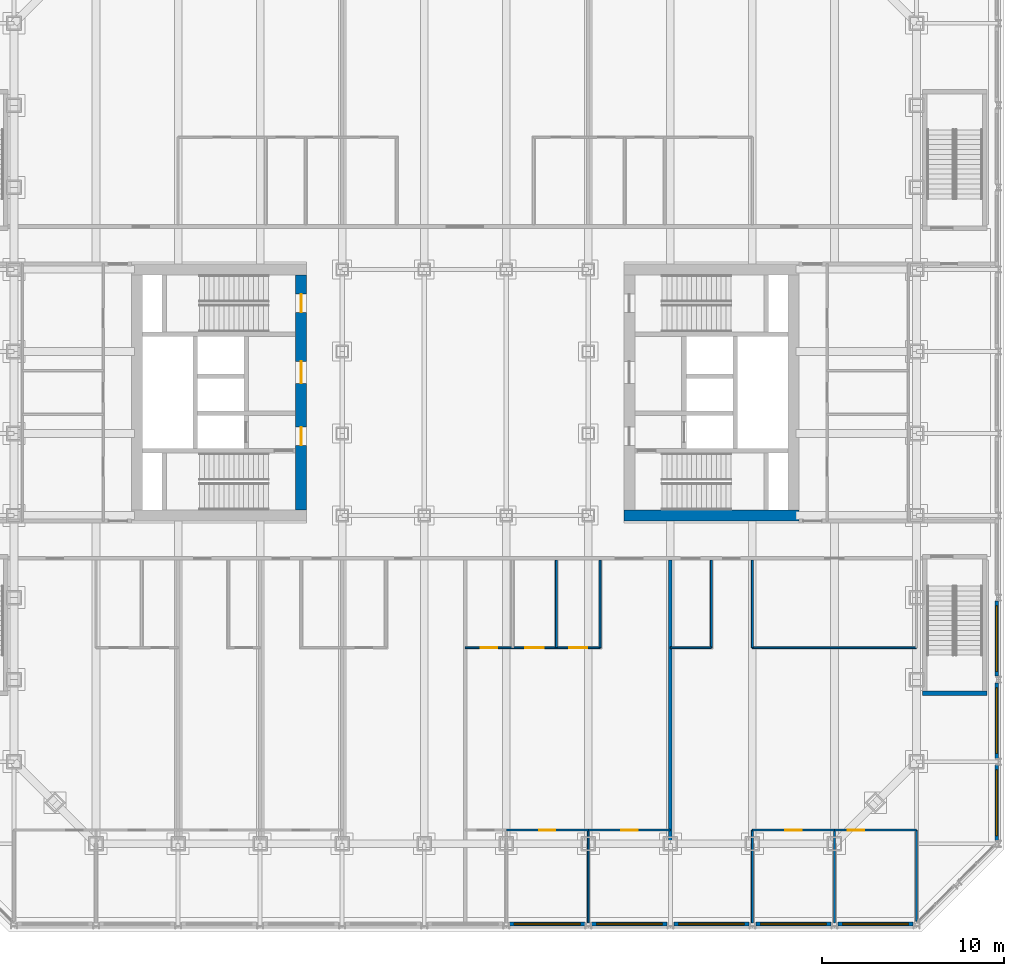
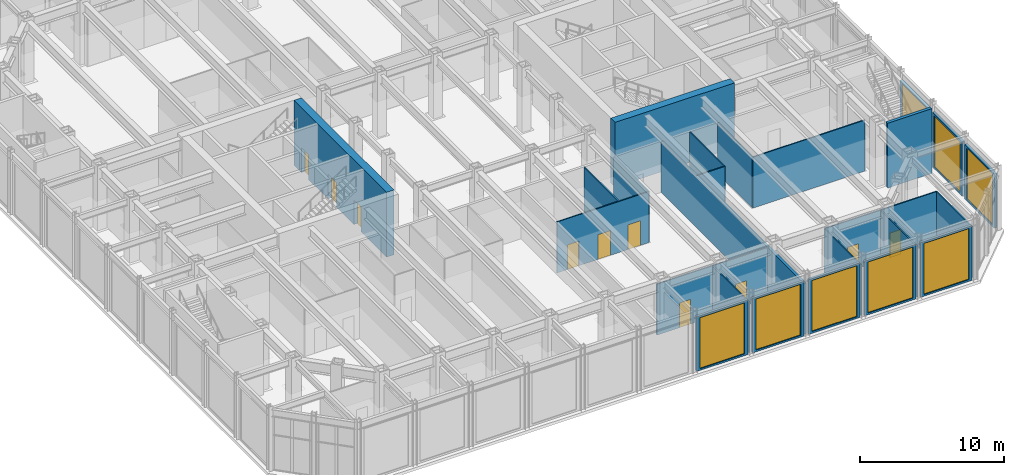
# One storey, part 12 of 19: 27 walls, 10 doors, 8 windows, 18 openings.
"""IFC4 building model written with IfcOpenShell, lengths in metres."""

import ifcopenshell
import ifcopenshell.guid

model = None  # the IFC model being written
_history = None  # IfcOwnerHistory: only IFC2X3 demands one
_inside = {}  # id of a spatial element -> (the spatial element, [elements in it])
_under = {}  # id of a project, library or spatial element -> (it, [spatial elements below it])
_declared = {}  # id of a project -> (the project, [libraries it declares])
_typed = {}  # id of a type object -> (the type object, [elements of that type])
_made_of = {}  # id of a material, layer set ... -> (it, [elements and type objects made of it])


def new_model(schema):
    """Start an empty IFC model of exactly this schema.

    Asked for "IFC4X3", IfcOpenShell would pick the latest addendum, in which some entities
    have other attributes; the version numbers below select the first issue.
    IFC2X3 requires an IfcOwnerHistory on every rooted entity: one is made here for all.
    """
    global model, _history
    if schema == "IFC4X3":
        model = ifcopenshell.file(schema_version=(4, 3, 0, 0))
    else:
        model = ifcopenshell.file(schema=schema)
    _inside.clear()
    _under.clear()
    _declared.clear()
    _typed.clear()
    _made_of.clear()
    _history = None
    if model.schema == "IFC2X3":
        org = make("IfcOrganization", Name="unknown")
        user = make(
            "IfcPersonAndOrganization",
            ThePerson=make("IfcPerson", FamilyName="unknown"),
            TheOrganization=org,
        )
        app = make(
            "IfcApplication",
            ApplicationDeveloper=org,
            Version="unknown",
            ApplicationFullName="unknown",
            ApplicationIdentifier="unknown",
        )
        _history = make(
            "IfcOwnerHistory",
            OwningUser=user,
            OwningApplication=app,
            ChangeAction="ADDED",
            CreationDate=0,
        )
    return model


def make(cls, **values):
    """One entity of the class cls with the attributes given. An attribute that is None is left unset."""
    return model.create_entity(
        cls, **{name: value for name, value in values.items() if value is not None}
    )


def rooted(cls, **values):
    """An entity with a GlobalId (a new one), such as an element, a storey or a relation."""
    return make(cls, GlobalId=ifcopenshell.guid.new(), OwnerHistory=_history, **values)


def si_unit(unit_type, name, prefix=None):
    """IfcSIUnit, for example si_unit("LENGTHUNIT", "METRE", prefix="MILLI")."""
    return make("IfcSIUnit", UnitType=unit_type, Prefix=prefix, Name=name)


def assignment(units):
    """IfcUnitAssignment: the units of a project."""
    return None if units is None else make("IfcUnitAssignment", Units=units)


def point(xyz):
    """IfcCartesianPoint."""
    return None if xyz is None else make("IfcCartesianPoint", Coordinates=xyz)


def direction(xyz):
    """IfcDirection."""
    return None if xyz is None else make("IfcDirection", DirectionRatios=xyz)


def frame(location, z_axis=None, x_axis=None):
    """IfcAxis2Placement3D, a coordinate frame: its origin and axes. An axis left out is left unset."""
    return make(
        "IfcAxis2Placement3D",
        Location=point(location),
        Axis=direction(z_axis),
        RefDirection=direction(x_axis),
    )


def frame_2d(location, x_axis=None):
    """IfcAxis2Placement2D, a coordinate frame in the plane: its origin and x axis."""
    return make(
        "IfcAxis2Placement2D", Location=point(location), RefDirection=direction(x_axis)
    )


def origin():
    """The frame at (0, 0, 0) with its axes left unset."""
    return frame((0.0, 0.0, 0.0))


def place(relative_to, where):
    """IfcLocalPlacement: puts the frame where relative to a parent placement (None: the world)."""
    return make(
        "IfcLocalPlacement", PlacementRelTo=relative_to, RelativePlacement=where
    )


def context(
    kind, dimensions, precision=None, world=None, true_north=None, identifier=None
):
    """IfcGeometricRepresentationContext, for example the 3D "Model" context."""
    return make(
        "IfcGeometricRepresentationContext",
        ContextIdentifier=identifier,
        ContextType=kind,
        CoordinateSpaceDimension=dimensions,
        Precision=precision,
        WorldCoordinateSystem=world,
        TrueNorth=true_north,
    )


def subcontext(parent, identifier, kind, view, scale=None):
    """IfcGeometricRepresentationSubContext, for example "Body" below "Model"."""
    return make(
        "IfcGeometricRepresentationSubContext",
        ContextIdentifier=identifier,
        ContextType=kind,
        ParentContext=parent,
        TargetScale=scale,
        TargetView=view,
    )


def project(units=None, contexts=None):
    """IfcProject with its units and contexts."""
    return rooted(
        "IfcProject",
        Name="project",
        RepresentationContexts=contexts,
        UnitsInContext=assignment(units),
    )


def spatial(cls, under=None, at=None, **own):
    """A site, building, storey or space (cls), placed at a placement, below another one or the project."""
    s = rooted(cls, ObjectPlacement=at, **own)
    if under is not None:
        _under.setdefault(under.id(), (under, []))[1].append(s)
    return s


def profile(cls, at=None, kind="AREA", **sizes):
    """A parametric profile (cls). Its sizes go by their IFC names, for example OverallWidth=200.0."""
    return make(cls, ProfileType=kind, Position=at, **sizes)


def rectangle(**sizes):
    """IfcRectangleProfileDef."""
    return profile("IfcRectangleProfileDef", **sizes)


def extrude(swept, where, along, depth):
    """IfcExtrudedAreaSolid: the profile swept, set in the frame where, extruded along a direction by depth."""
    return make(
        "IfcExtrudedAreaSolid",
        SweptArea=swept,
        Position=where,
        ExtrudedDirection=direction(along),
        Depth=depth,
    )


def shape(context_of_items, identifier, shape_type, items):
    """IfcShapeRepresentation: the items that make up one representation, for example the "Body"."""
    return make(
        "IfcShapeRepresentation",
        ContextOfItems=context_of_items,
        RepresentationIdentifier=identifier,
        RepresentationType=shape_type,
        Items=items,
    )


def material(Name=None, Category=None):
    """IfcMaterial."""
    return make("IfcMaterial", Name=Name, Category=Category)


def layer(
    of_material, thickness, ventilated=None, Name=None, Category=None, Priority=None
):
    """IfcMaterialLayer: one layer of a wall or slab, of a material (None: an air gap)."""
    return make(
        "IfcMaterialLayer",
        Material=of_material,
        LayerThickness=thickness,
        IsVentilated=ventilated,
        Name=Name,
        Category=Category,
        Priority=Priority,
    )


def layer_set(layers, Name=None):
    """IfcMaterialLayerSet."""
    return make("IfcMaterialLayerSet", MaterialLayers=layers, LayerSetName=Name)


def made_of(thing, what):
    """Note that an element or type object is made of a material, layer set ...; save() writes the relation."""
    if what is not None:
        _made_of.setdefault(what.id(), (what, []))[1].append(thing)
    return thing


def type_object(cls, material=None, **own):
    """A type object (cls), such as IfcWallType, which elements share."""
    return made_of(rooted(cls, **own), material)


def element(
    cls,
    number,
    at=None,
    inside=None,
    cuts=None,
    type_object=None,
    material=None,
    context=None,
    identifier="Body",
    shape_type=None,
    held_by="IfcProductDefinitionShape",
    body=None,
    shapes=None,
    **own,
):
    """One element of the class cls, such as IfcWall. Its Tag is "e" and its number.

    at: its placement. inside: the storey or other place that contains it. cuts: it is an
    opening in that element (IfcRelVoidsElement). A single representation is given by context,
    identifier, shape_type and body (its items); several are given by shapes. held_by: the class
    of the entity that holds the representations. save() writes the other relations.
    """
    e = rooted(cls, Tag="e%d" % number, ObjectPlacement=at, **own)
    if body is not None:
        shapes = [shape(context, identifier, shape_type, body)]
    if shapes is not None:
        e.Representation = make(held_by, Representations=shapes)
    if inside is not None:
        _inside.setdefault(inside.id(), (inside, []))[1].append(e)
    if cuts is not None:
        rooted(
            "IfcRelVoidsElement", RelatingBuildingElement=cuts, RelatedOpeningElement=e
        )
    if type_object is not None:
        _typed.setdefault(type_object.id(), (type_object, []))[1].append(e)
    return made_of(e, material)


def fill(opening, filler):
    """IfcRelFillsElement: the door or window that sits in an opening."""
    return rooted(
        "IfcRelFillsElement",
        RelatingOpeningElement=opening,
        RelatedBuildingElement=filler,
    )


def aggregate(whole, parts):
    """IfcRelAggregates: a whole, such as a stair, and the parts it consists of."""
    return rooted("IfcRelAggregates", RelatingObject=whole, RelatedObjects=parts)


def save(model, path):
    """Write the relations noted so far, then the file.

    IfcRelAggregates (storeys below a building ...), IfcRelContainedInSpatialStructure (elements
    in a storey), IfcRelDefinesByType, IfcRelAssociatesMaterial and IfcRelDeclares: one each for
    every whole, place, type object, material and project.
    """
    for whole, parts in _under.values():
        aggregate(whole, parts)
    for where, things in _inside.values():
        rooted(
            "IfcRelContainedInSpatialStructure",
            RelatedElements=things,
            RelatingStructure=where,
        )
    for kind, things in _typed.values():
        rooted("IfcRelDefinesByType", RelatedObjects=things, RelatingType=kind)
    for what, things in _made_of.values():
        rooted("IfcRelAssociatesMaterial", RelatedObjects=things, RelatingMaterial=what)
    for by, libraries in _declared.values():
        rooted("IfcRelDeclares", RelatingContext=by, RelatedDefinitions=libraries)
    model.write(path)


model = new_model("IFC4")

# Units and contexts
model_context = context("Model", 3, precision=1e-05, world=origin(), true_north=direction((0.0, 1.0)))
body_context = subcontext(model_context, "Body", "Model", "MODEL_VIEW")
ifc_project = project(units=[si_unit("LENGTHUNIT", "METRE"), si_unit("AREAUNIT", "SQUARE_METRE"), si_unit("VOLUMEUNIT", "CUBIC_METRE"), si_unit("PLANEANGLEUNIT", "RADIAN"), si_unit("MASSUNIT", "GRAM", prefix="KILO")], contexts=[model_context])

# Site, building, storey
site_placement = place(None, origin())
site = spatial("IfcSite", under=ifc_project, at=site_placement, CompositionType="ELEMENT")
building_placement = place(site_placement, origin())
building = spatial("IfcBuilding", under=site, at=building_placement, Name="Msasa Ring Tower", CompositionType="ELEMENT")
storey_placement = place(building_placement, frame((0.0, 0.0, 16.0)))
storey = spatial("IfcBuildingStorey", under=building, at=storey_placement, Name="L03", CompositionType="ELEMENT", Elevation=16.0)

# Wall
ifc_material_1 = material(Name="Concrete C60/75", Category="concrete")
ifc_layer_1 = layer(ifc_material_1, 0.60009765625)
ifc_layer_set_1 = layer_set([ifc_layer_1], Name="CW1 CORE WALL 600")
wall_type_1 = type_object("IfcWallType", Name="CW1 CORE WALL 600", PredefinedType="SHEAR", material=ifc_layer_set_1)
wall_1_placement = place(storey_placement, frame((8.699951171875, -6.75, 0.0), z_axis=(0.0, 0.0, 1.0), x_axis=(1.0, 0.0, 0.0)))
element("IfcWall", 1, at=wall_1_placement, inside=storey, type_object=wall_type_1, Name="E core wall S L03", PredefinedType="SHEAR", context=body_context, shape_type="SweptSolid", body=[
    extrude(rectangle(XDim=9.60009765625, YDim=0.60009765625, at=frame_2d((4.800048828125, 0.0))), origin(), (0.0, 0.0, 1.0), 5.5),
])

# Wall, openings, doors
wall_2_placement = place(storey_placement, frame((-9.0, -6.449951171875, 0.0), z_axis=(0.0, 0.0, 1.0), x_axis=(0.0, 1.0, 0.0)))
wall_2 = element("IfcWall", 2, at=wall_2_placement, inside=storey, type_object=wall_type_1, Name="W core wall W L03", PredefinedType="SHEAR", context=body_context, shape_type="SweptSolid", body=[
    extrude(rectangle(XDim=12.89990234375, YDim=0.60009765625, at=frame_2d((6.449951171875, 0.0))), origin(), (0.0, 0.0, 1.0), 5.5),
])
opening_1_placement = place(wall_2_placement, frame((3.550048828125, 0.0, 0.0)))
opening_1 = element("IfcOpeningElement", 3, at=opening_1_placement, cuts=wall_2, Name="Opening L03-030", PredefinedType="OPENING", context=body_context, shape_type="SweptSolid", body=[
    extrude(rectangle(XDim=1.0, YDim=2.10009765625, at=frame_2d((0.5, 1.050048828125))), frame((0.0, 0.31005859375, 0.0), z_axis=(0.0, -1.0, 0.0), x_axis=(1.0, 0.0, 0.0)), (0.0, 0.0, 1.0), 0.6201171875),
])
opening_2_placement = place(wall_2_placement, frame((6.949951171875, 0.0, 0.0)))
opening_2 = element("IfcOpeningElement", 4, at=opening_2_placement, cuts=wall_2, Name="Opening L03-026", PredefinedType="OPENING", context=body_context, shape_type="SweptSolid", body=[
    extrude(rectangle(XDim=1.199951171875, YDim=2.10009765625, at=frame_2d((0.60009765625, 1.050048828125))), frame((0.0, 0.31005859375, 0.0), z_axis=(0.0, -1.0, 0.0), x_axis=(1.0, 0.0, 0.0)), (0.0, 0.0, 1.0), 0.6201171875),
])
opening_3_placement = place(wall_2_placement, frame((10.85009765625, 0.0, 0.0)))
opening_3 = element("IfcOpeningElement", 5, at=opening_3_placement, cuts=wall_2, Name="Opening L03-022", PredefinedType="OPENING", context=body_context, shape_type="SweptSolid", body=[
    extrude(rectangle(XDim=1.0, YDim=2.10009765625, at=frame_2d((0.5, 1.050048828125))), frame((0.0, 0.31005859375, 0.0), z_axis=(0.0, -1.0, 0.0), x_axis=(1.0, 0.0, 0.0)), (0.0, 0.0, 1.0), 0.6201171875),
])
ifc_material_2 = material(Name="Timber door leaf in a steel frame", Category="steel")
door_type_1 = type_object("IfcDoorType", Name="D26 WIDE SERVICE ROOM DOOR 1200x2100", OperationType="SINGLE_SWING_LEFT", PredefinedType="DOOR", material=ifc_material_2)
door_1_placement = place(opening_2_placement, origin())
door_1 = element("IfcDoor", 6, at=door_1_placement, inside=storey, type_object=door_type_1, Name="Door L03-WCR", OperationType="SINGLE_SWING_RIGHT", OverallHeight=2.10009765625, OverallWidth=1.199951171875, PredefinedType="DOOR", context=body_context, shape_type="SweptSolid", body=[
    extrude(rectangle(XDim=1.199951171875, YDim=2.10009765625, at=frame_2d((0.60009765625, 1.050048828125))), frame((0.0, 0.02490234375, 0.0), z_axis=(0.0, -1.0, 0.0), x_axis=(1.0, 0.0, 0.0)), (0.0, 0.0, 1.0), 0.050048828125),
])
fill(opening_2, door_1)
ifc_material_3 = material(Name="Timber door leaf in a steel frame", Category="steel")
door_type_2 = type_object("IfcDoorType", Name="D4 LOBBY DOOR 1000x2100", OperationType="SINGLE_SWING_LEFT", PredefinedType="DOOR", material=ifc_material_3)
door_2_placement = place(opening_1_placement, origin())
door_2 = element("IfcDoor", 7, at=door_2_placement, inside=storey, type_object=door_type_2, Name="Door L03-WFFL", OperationType="SINGLE_SWING_LEFT", OverallHeight=2.10009765625, OverallWidth=1.0, PredefinedType="DOOR", context=body_context, shape_type="SweptSolid", body=[
    extrude(rectangle(XDim=1.0, YDim=2.10009765625, at=frame_2d((0.5, 1.050048828125))), frame((0.0, 0.02490234375, 0.0), z_axis=(0.0, -1.0, 0.0), x_axis=(1.0, 0.0, 0.0)), (0.0, 0.0, 1.0), 0.050048828125),
])
fill(opening_1, door_2)
ifc_material_4 = material(Name="Timber door leaf in a steel frame", Category="steel")
door_type_3 = type_object("IfcDoorType", Name="D6 STAIR DOOR 1000x2100", OperationType="SINGLE_SWING_LEFT", PredefinedType="DOOR", material=ifc_material_4)
door_3_placement = place(opening_3_placement, origin())
door_3 = element("IfcDoor", 8, at=door_3_placement, inside=storey, type_object=door_type_3, Name="Door L03-WSTB", OperationType="SINGLE_SWING_RIGHT", OverallHeight=2.10009765625, OverallWidth=1.0, PredefinedType="DOOR", context=body_context, shape_type="SweptSolid", body=[
    extrude(rectangle(XDim=1.0, YDim=2.10009765625, at=frame_2d((0.5, 1.050048828125))), frame((0.0, 0.02490234375, 0.0), z_axis=(0.0, -1.0, 0.0), x_axis=(1.0, 0.0, 0.0)), (0.0, 0.0, 1.0), 0.050048828125),
])
fill(opening_3, door_3)

# Wall, opening, window
ifc_material_5 = material(Name="Terracotta rainscreen on blockwork", Category="masonry")
ifc_layer_2 = layer(ifc_material_5, 0.199951171875)
ifc_layer_set_2 = layer_set([ifc_layer_2], Name="FW2 TERRACOTTA PODIUM BAY WALL 200")
wall_type_2 = type_object("IfcWallType", Name="FW2 TERRACOTTA PODIUM BAY WALL 200", PredefinedType="SOLIDWALL", material=ifc_layer_set_2)
wall_3_placement = place(storey_placement, frame((2.437744140625, -29.14990234375, 0.0), z_axis=(0.0, 0.0, 1.0), x_axis=(1.0, 0.0, 0.0)))
wall_3 = element("IfcWall", 9, at=wall_3_placement, inside=storey, type_object=wall_type_2, Name="Podium bay wall S L03 06", PredefinedType="SOLIDWALL", context=body_context, shape_type="SweptSolid", body=[
    extrude(rectangle(XDim=4.124755859375, YDim=0.199951171875, at=frame_2d((2.0625, 0.0))), origin(), (0.0, 0.0, 1.0), 4.6328125),
])
opening_4_placement = place(wall_3_placement, frame((0.26220703125, 0.0, 0.14990234375)))
opening_4 = element("IfcOpeningElement", 10, at=opening_4_placement, cuts=wall_3, Name="Opening SF4", PredefinedType="OPENING", context=body_context, shape_type="SweptSolid", body=[
    extrude(rectangle(XDim=3.60009765625, YDim=4.3330078125, at=frame_2d((1.800048828125, 2.16650390625))), frame((0.0, 0.10986328125, 0.0), z_axis=(0.0, -1.0, 0.0), x_axis=(1.0, 0.0, 0.0)), (0.0, 0.0, 1.0), 0.219970703125),
])
ifc_material_6 = material(Name="Aluminium frame with clear glass", Category="aluminium")
window_type = type_object("IfcWindowType", Name="SF4 SHOPFRONT GLAZING 3600x4333", PartitioningType="SINGLE_PANEL", PredefinedType="WINDOW", material=ifc_material_6)
window_1_placement = place(opening_4_placement, origin())
window_1 = element("IfcWindow", 11, at=window_1_placement, inside=storey, type_object=window_type, Name="Shopfront glazing S L03 06", OverallHeight=4.3330078125, OverallWidth=3.60009765625, PartitioningType="SINGLE_PANEL", PredefinedType="WINDOW", context=body_context, shape_type="SweptSolid", body=[
    extrude(rectangle(XDim=3.60009765625, YDim=4.3330078125, at=frame_2d((1.800048828125, 2.16650390625))), frame((0.0, 0.030029296875, 0.0), z_axis=(0.0, -1.0, 0.0), x_axis=(1.0, 0.0, 0.0)), (0.0, 0.0, 1.0), 0.06005859375),
])
fill(opening_4, window_1)

wall_4_placement = place(storey_placement, frame((6.9375, -29.14990234375, 0.0), z_axis=(0.0, 0.0, 1.0), x_axis=(1.0, 0.0, 0.0)))
wall_4 = element("IfcWall", 12, at=wall_4_placement, inside=storey, type_object=wall_type_2, Name="Podium bay wall S L03 07", PredefinedType="SOLIDWALL", context=body_context, shape_type="SweptSolid", body=[
    extrude(rectangle(XDim=4.125, YDim=0.199951171875, at=frame_2d((2.0625, 0.0))), origin(), (0.0, 0.0, 1.0), 4.6328125),
])
opening_5_placement = place(wall_4_placement, frame((0.262451171875, 0.0, 0.14990234375)))
opening_5 = element("IfcOpeningElement", 13, at=opening_5_placement, cuts=wall_4, Name="Opening SF4", PredefinedType="OPENING", context=body_context, shape_type="SweptSolid", body=[
    extrude(rectangle(XDim=3.60009765625, YDim=4.3330078125, at=frame_2d((1.800048828125, 2.16650390625))), frame((0.0, 0.10986328125, 0.0), z_axis=(0.0, -1.0, 0.0), x_axis=(1.0, 0.0, 0.0)), (0.0, 0.0, 1.0), 0.219970703125),
])
window_2_placement = place(opening_5_placement, origin())
window_2 = element("IfcWindow", 14, at=window_2_placement, inside=storey, type_object=window_type, Name="Shopfront glazing S L03 07", OverallHeight=4.3330078125, OverallWidth=3.60009765625, PartitioningType="SINGLE_PANEL", PredefinedType="WINDOW", context=body_context, shape_type="SweptSolid", body=[
    extrude(rectangle(XDim=3.60009765625, YDim=4.3330078125, at=frame_2d((1.800048828125, 2.16650390625))), frame((0.0, 0.030029296875, 0.0), z_axis=(0.0, -1.0, 0.0), x_axis=(1.0, 0.0, 0.0)), (0.0, 0.0, 1.0), 0.06005859375),
])
fill(opening_5, window_2)

wall_5_placement = place(storey_placement, frame((11.4375, -29.14990234375, 0.0), z_axis=(0.0, 0.0, 1.0), x_axis=(1.0, 0.0, 0.0)))
wall_5 = element("IfcWall", 15, at=wall_5_placement, inside=storey, type_object=wall_type_2, Name="Podium bay wall S L03 08", PredefinedType="SOLIDWALL", context=body_context, shape_type="SweptSolid", body=[
    extrude(rectangle(XDim=4.125, YDim=0.199951171875, at=frame_2d((2.0625, 0.0))), origin(), (0.0, 0.0, 1.0), 4.6328125),
])
opening_6_placement = place(wall_5_placement, frame((0.262451171875, 0.0, 0.14990234375)))
opening_6 = element("IfcOpeningElement", 16, at=opening_6_placement, cuts=wall_5, Name="Opening SF4", PredefinedType="OPENING", context=body_context, shape_type="SweptSolid", body=[
    extrude(rectangle(XDim=3.60009765625, YDim=4.3330078125, at=frame_2d((1.800048828125, 2.16650390625))), frame((0.0, 0.10986328125, 0.0), z_axis=(0.0, -1.0, 0.0), x_axis=(1.0, 0.0, 0.0)), (0.0, 0.0, 1.0), 0.219970703125),
])
window_3_placement = place(opening_6_placement, origin())
window_3 = element("IfcWindow", 17, at=window_3_placement, inside=storey, type_object=window_type, Name="Shopfront glazing S L03 08", OverallHeight=4.3330078125, OverallWidth=3.60009765625, PartitioningType="SINGLE_PANEL", PredefinedType="WINDOW", context=body_context, shape_type="SweptSolid", body=[
    extrude(rectangle(XDim=3.60009765625, YDim=4.3330078125, at=frame_2d((1.800048828125, 2.16650390625))), frame((0.0, 0.030029296875, 0.0), z_axis=(0.0, -1.0, 0.0), x_axis=(1.0, 0.0, 0.0)), (0.0, 0.0, 1.0), 0.06005859375),
])
fill(opening_6, window_3)

wall_6_placement = place(storey_placement, frame((15.9375, -29.14990234375, 0.0), z_axis=(0.0, 0.0, 1.0), x_axis=(1.0, 0.0, 0.0)))
wall_6 = element("IfcWall", 18, at=wall_6_placement, inside=storey, type_object=wall_type_2, Name="Podium bay wall S L03 09", PredefinedType="SOLIDWALL", context=body_context, shape_type="SweptSolid", body=[
    extrude(rectangle(XDim=4.124755859375, YDim=0.199951171875, at=frame_2d((2.0625, 0.0))), origin(), (0.0, 0.0, 1.0), 4.6328125),
])
opening_7_placement = place(wall_6_placement, frame((0.262451171875, 0.0, 0.14990234375)))
opening_7 = element("IfcOpeningElement", 19, at=opening_7_placement, cuts=wall_6, Name="Opening SF4", PredefinedType="OPENING", context=body_context, shape_type="SweptSolid", body=[
    extrude(rectangle(XDim=3.60009765625, YDim=4.3330078125, at=frame_2d((1.800048828125, 2.16650390625))), frame((0.0, 0.10986328125, 0.0), z_axis=(0.0, -1.0, 0.0), x_axis=(1.0, 0.0, 0.0)), (0.0, 0.0, 1.0), 0.219970703125),
])
window_4_placement = place(opening_7_placement, origin())
window_4 = element("IfcWindow", 20, at=window_4_placement, inside=storey, type_object=window_type, Name="Shopfront glazing S L03 09", OverallHeight=4.3330078125, OverallWidth=3.60009765625, PartitioningType="SINGLE_PANEL", PredefinedType="WINDOW", context=body_context, shape_type="SweptSolid", body=[
    extrude(rectangle(XDim=3.60009765625, YDim=4.3330078125, at=frame_2d((1.800048828125, 2.16650390625))), frame((0.0, 0.030029296875, 0.0), z_axis=(0.0, -1.0, 0.0), x_axis=(1.0, 0.0, 0.0)), (0.0, 0.0, 1.0), 0.06005859375),
])
fill(opening_7, window_4)

wall_7_placement = place(storey_placement, frame((20.437744140625, -29.14990234375, 0.0), z_axis=(0.0, 0.0, 1.0), x_axis=(1.0, 0.0, 0.0)))
wall_7 = element("IfcWall", 21, at=wall_7_placement, inside=storey, type_object=wall_type_2, Name="Podium bay wall S L03 10", PredefinedType="SOLIDWALL", context=body_context, shape_type="SweptSolid", body=[
    extrude(rectangle(XDim=4.12451171875, YDim=0.199951171875, at=frame_2d((2.062255859375, 0.0))), origin(), (0.0, 0.0, 1.0), 4.6328125),
])
opening_8_placement = place(wall_7_placement, frame((0.26220703125, 0.0, 0.14990234375)))
opening_8 = element("IfcOpeningElement", 22, at=opening_8_placement, cuts=wall_7, Name="Opening SF4", PredefinedType="OPENING", context=body_context, shape_type="SweptSolid", body=[
    extrude(rectangle(XDim=3.60009765625, YDim=4.3330078125, at=frame_2d((1.800048828125, 2.16650390625))), frame((0.0, 0.10986328125, 0.0), z_axis=(0.0, -1.0, 0.0), x_axis=(1.0, 0.0, 0.0)), (0.0, 0.0, 1.0), 0.219970703125),
])
window_5_placement = place(opening_8_placement, origin())
window_5 = element("IfcWindow", 23, at=window_5_placement, inside=storey, type_object=window_type, Name="Shopfront glazing S L03 10", OverallHeight=4.3330078125, OverallWidth=3.60009765625, PartitioningType="SINGLE_PANEL", PredefinedType="WINDOW", context=body_context, shape_type="SweptSolid", body=[
    extrude(rectangle(XDim=3.60009765625, YDim=4.3330078125, at=frame_2d((1.800048828125, 2.16650390625))), frame((0.0, 0.030029296875, 0.0), z_axis=(0.0, -1.0, 0.0), x_axis=(1.0, 0.0, 0.0)), (0.0, 0.0, 1.0), 0.06005859375),
])
fill(opening_8, window_5)

wall_8_placement = place(storey_placement, frame((29.14990234375, -24.562255859375, 0.0), z_axis=(0.0, 0.0, 1.0), x_axis=(0.0, 1.0, 0.0)))
wall_8 = element("IfcWall", 24, at=wall_8_placement, inside=storey, type_object=wall_type_2, Name="Podium bay wall E L03 13", PredefinedType="SOLIDWALL", context=body_context, shape_type="SweptSolid", body=[
    extrude(rectangle(XDim=4.12451171875, YDim=0.199951171875, at=frame_2d((2.062255859375, 0.0))), origin(), (0.0, 0.0, 1.0), 4.6328125),
])
opening_9_placement = place(wall_8_placement, frame((0.26220703125, 0.0, 0.14990234375)))
opening_9 = element("IfcOpeningElement", 25, at=opening_9_placement, cuts=wall_8, Name="Opening SF4", PredefinedType="OPENING", context=body_context, shape_type="SweptSolid", body=[
    extrude(rectangle(XDim=3.60009765625, YDim=4.3330078125, at=frame_2d((1.800048828125, 2.16650390625))), frame((0.0, 0.10986328125, 0.0), z_axis=(0.0, -1.0, 0.0), x_axis=(1.0, 0.0, 0.0)), (0.0, 0.0, 1.0), 0.219970703125),
])
window_6_placement = place(opening_9_placement, origin())
window_6 = element("IfcWindow", 26, at=window_6_placement, inside=storey, type_object=window_type, Name="Shopfront glazing E L03 13", OverallHeight=4.3330078125, OverallWidth=3.60009765625, PartitioningType="SINGLE_PANEL", PredefinedType="WINDOW", context=body_context, shape_type="SweptSolid", body=[
    extrude(rectangle(XDim=3.60009765625, YDim=4.3330078125, at=frame_2d((1.800048828125, 2.16650390625))), frame((0.0, 0.030029296875, 0.0), z_axis=(0.0, -1.0, 0.0), x_axis=(1.0, 0.0, 0.0)), (0.0, 0.0, 1.0), 0.06005859375),
])
fill(opening_9, window_6)

wall_9_placement = place(storey_placement, frame((29.14990234375, -20.062255859375, 0.0), z_axis=(0.0, 0.0, 1.0), x_axis=(0.0, 1.0, 0.0)))
wall_9 = element("IfcWall", 27, at=wall_9_placement, inside=storey, type_object=wall_type_2, Name="Podium bay wall E L03 14", PredefinedType="SOLIDWALL", context=body_context, shape_type="SweptSolid", body=[
    extrude(rectangle(XDim=4.124755859375, YDim=0.199951171875, at=frame_2d((2.0625, 0.0))), origin(), (0.0, 0.0, 1.0), 4.6328125),
])
opening_10_placement = place(wall_9_placement, frame((0.26220703125, 0.0, 0.14990234375)))
opening_10 = element("IfcOpeningElement", 28, at=opening_10_placement, cuts=wall_9, Name="Opening SF4", PredefinedType="OPENING", context=body_context, shape_type="SweptSolid", body=[
    extrude(rectangle(XDim=3.60009765625, YDim=4.3330078125, at=frame_2d((1.800048828125, 2.16650390625))), frame((0.0, 0.10986328125, 0.0), z_axis=(0.0, -1.0, 0.0), x_axis=(1.0, 0.0, 0.0)), (0.0, 0.0, 1.0), 0.219970703125),
])
window_7_placement = place(opening_10_placement, origin())
window_7 = element("IfcWindow", 29, at=window_7_placement, inside=storey, type_object=window_type, Name="Shopfront glazing E L03 14", OverallHeight=4.3330078125, OverallWidth=3.60009765625, PartitioningType="SINGLE_PANEL", PredefinedType="WINDOW", context=body_context, shape_type="SweptSolid", body=[
    extrude(rectangle(XDim=3.60009765625, YDim=4.3330078125, at=frame_2d((1.800048828125, 2.16650390625))), frame((0.0, 0.030029296875, 0.0), z_axis=(0.0, -1.0, 0.0), x_axis=(1.0, 0.0, 0.0)), (0.0, 0.0, 1.0), 0.06005859375),
])
fill(opening_10, window_7)

wall_10_placement = place(storey_placement, frame((29.14990234375, -15.5625, 0.0), z_axis=(0.0, 0.0, 1.0), x_axis=(0.0, 1.0, 0.0)))
wall_10 = element("IfcWall", 30, at=wall_10_placement, inside=storey, type_object=wall_type_2, Name="Podium bay wall E L03 15", PredefinedType="SOLIDWALL", context=body_context, shape_type="SweptSolid", body=[
    extrude(rectangle(XDim=4.125, YDim=0.199951171875, at=frame_2d((2.0625, 0.0))), origin(), (0.0, 0.0, 1.0), 4.6328125),
])
opening_11_placement = place(wall_10_placement, frame((0.262451171875, 0.0, 0.14990234375)))
opening_11 = element("IfcOpeningElement", 31, at=opening_11_placement, cuts=wall_10, Name="Opening SF4", PredefinedType="OPENING", context=body_context, shape_type="SweptSolid", body=[
    extrude(rectangle(XDim=3.60009765625, YDim=4.3330078125, at=frame_2d((1.800048828125, 2.16650390625))), frame((0.0, 0.10986328125, 0.0), z_axis=(0.0, -1.0, 0.0), x_axis=(1.0, 0.0, 0.0)), (0.0, 0.0, 1.0), 0.219970703125),
])
window_8_placement = place(opening_11_placement, origin())
window_8 = element("IfcWindow", 32, at=window_8_placement, inside=storey, type_object=window_type, Name="Shopfront glazing E L03 15", OverallHeight=4.3330078125, OverallWidth=3.60009765625, PartitioningType="SINGLE_PANEL", PredefinedType="WINDOW", context=body_context, shape_type="SweptSolid", body=[
    extrude(rectangle(XDim=3.60009765625, YDim=4.3330078125, at=frame_2d((1.800048828125, 2.16650390625))), frame((0.0, 0.030029296875, 0.0), z_axis=(0.0, -1.0, 0.0), x_axis=(1.0, 0.0, 0.0)), (0.0, 0.0, 1.0), 0.06005859375),
])
fill(opening_11, window_8)

# Wall, openings, doors
ifc_material_7 = material(Name="Gypsum board on steel studs", Category="steel")
ifc_layer_3 = layer(ifc_material_7, 0.10009765625)
ifc_layer_set_3 = layer_set([ifc_layer_3], Name="PT2 STUD PARTITION 100")
wall_type_3 = type_object("IfcWallType", Name="PT2 STUD PARTITION 100", PredefinedType="PARTITIONING", material=ifc_layer_set_3)
wall_11_placement = place(storey_placement, frame((0.0, -14.0, 0.0), z_axis=(0.0, 0.0, 1.0), x_axis=(1.0, 0.0, 0.0)))
wall_11 = element("IfcWall", 33, at=wall_11_placement, inside=storey, type_object=wall_type_3, Name="Partition L03-PDS4BY", PredefinedType="PARTITIONING", context=body_context, shape_type="SweptSolid", body=[
    extrude(rectangle(XDim=7.39990234375, YDim=0.10009765625, at=frame_2d((3.699951171875, 0.0))), origin(), (0.0, 0.0, 1.0), 4.3291015625),
])
opening_12_placement = place(wall_11_placement, frame((0.85009765625, 0.0, 0.0)))
opening_12 = element("IfcOpeningElement", 34, at=opening_12_placement, cuts=wall_11, Name="Opening L03-053", PredefinedType="OPENING", context=body_context, shape_type="SweptSolid", body=[
    extrude(rectangle(XDim=0.89990234375, YDim=2.10009765625, at=frame_2d((0.449951171875, 1.050048828125))), frame((0.0, 0.06005859375, 0.0), z_axis=(0.0, -1.0, 0.0), x_axis=(1.0, 0.0, 0.0)), (0.0, 0.0, 1.0), 0.1201171875),
])
opening_13_placement = place(wall_11_placement, frame((3.300048828125, 0.0, 0.0)))
opening_13 = element("IfcOpeningElement", 35, at=opening_13_placement, cuts=wall_11, Name="Opening L03-054", PredefinedType="OPENING", context=body_context, shape_type="SweptSolid", body=[
    extrude(rectangle(XDim=1.0, YDim=2.10009765625, at=frame_2d((0.5, 1.050048828125))), frame((0.0, 0.06005859375, 0.0), z_axis=(0.0, -1.0, 0.0), x_axis=(1.0, 0.0, 0.0)), (0.0, 0.0, 1.0), 0.1201171875),
])
opening_14_placement = place(wall_11_placement, frame((5.699951171875, 0.0, 0.0)))
opening_14 = element("IfcOpeningElement", 36, at=opening_14_placement, cuts=wall_11, Name="Opening L03-055", PredefinedType="OPENING", context=body_context, shape_type="SweptSolid", body=[
    extrude(rectangle(XDim=1.0, YDim=2.10009765625, at=frame_2d((0.5, 1.050048828125))), frame((0.0, 0.06005859375, 0.0), z_axis=(0.0, -1.0, 0.0), x_axis=(1.0, 0.0, 0.0)), (0.0, 0.0, 1.0), 0.1201171875),
])
ifc_material_8 = material(Name="Timber door leaf in a steel frame", Category="steel")
door_type_4 = type_object("IfcDoorType", Name="D22 INTERNAL HALL DOOR 900x2100", OperationType="SINGLE_SWING_LEFT", PredefinedType="DOOR", material=ifc_material_8)
door_4_placement = place(opening_12_placement, origin())
door_4 = element("IfcDoor", 37, at=door_4_placement, inside=storey, type_object=door_type_4, Name="Door L03-PDS4B0", OperationType="SINGLE_SWING_LEFT", OverallHeight=2.10009765625, OverallWidth=0.89990234375, PredefinedType="DOOR", context=body_context, shape_type="SweptSolid", body=[
    extrude(rectangle(XDim=0.89990234375, YDim=2.10009765625, at=frame_2d((0.449951171875, 1.050048828125))), frame((0.0, 0.02490234375, 0.0), z_axis=(0.0, -1.0, 0.0), x_axis=(1.0, 0.0, 0.0)), (0.0, 0.0, 1.0), 0.050048828125),
])
fill(opening_12, door_4)
ifc_material_9 = material(Name="Timber door leaf in a steel frame", Category="steel")
door_type_5 = type_object("IfcDoorType", Name="D27 INTERNAL STORE DOOR 1000x2100", OperationType="SINGLE_SWING_LEFT", PredefinedType="DOOR", material=ifc_material_9)
door_5_placement = place(opening_14_placement, origin())
door_5 = element("IfcDoor", 38, at=door_5_placement, inside=storey, type_object=door_type_5, Name="Door L03-PDS4B2", OperationType="SINGLE_SWING_RIGHT", OverallHeight=2.10009765625, OverallWidth=1.0, PredefinedType="DOOR", context=body_context, shape_type="SweptSolid", body=[
    extrude(rectangle(XDim=1.0, YDim=2.10009765625, at=frame_2d((0.5, 1.050048828125))), frame((0.0, 0.02490234375, 0.0), z_axis=(0.0, -1.0, 0.0), x_axis=(1.0, 0.0, 0.0)), (0.0, 0.0, 1.0), 0.050048828125),
])
fill(opening_14, door_5)
ifc_material_10 = material(Name="Timber door leaf in a steel frame", Category="steel")
door_type_6 = type_object("IfcDoorType", Name="D30 COLD ROOM INSULATED DOOR 1000x2100", OperationType="SINGLE_SWING_LEFT", PredefinedType="DOOR", material=ifc_material_10)
door_6_placement = place(opening_13_placement, origin())
door_6 = element("IfcDoor", 39, at=door_6_placement, inside=storey, type_object=door_type_6, Name="Door L03-PDS4B1", OperationType="SINGLE_SWING_RIGHT", OverallHeight=2.10009765625, OverallWidth=1.0, PredefinedType="DOOR", context=body_context, shape_type="SweptSolid", body=[
    extrude(rectangle(XDim=1.0, YDim=2.10009765625, at=frame_2d((0.5, 1.050048828125))), frame((0.0, 0.02490234375, 0.0), z_axis=(0.0, -1.0, 0.0), x_axis=(1.0, 0.0, 0.0)), (0.0, 0.0, 1.0), 0.050048828125),
])
fill(opening_13, door_6)

# Walls
for number, where, z_axis, x_axis, name in (
    (40, (5.0, -14.0, 0.0), (0.0, 0.0, 1.0), (0.0, 1.0, 0.0), "Partition L03-PDS4BX+5.00"),
    (41, (7.39990234375, -14.0, 0.0), (0.0, 0.0, 1.0), (0.0, 1.0, 0.0), "Partition L03-PDS4BX+7.40"),
):
    element("IfcWall", number, at=place(storey_placement, frame(where, z_axis=z_axis, x_axis=x_axis)), inside=storey, type_object=wall_type_3, Name=name, PredefinedType="PARTITIONING", context=body_context, shape_type="SweptSolid", body=[
        extrude(rectangle(XDim=4.800048828125, YDim=0.10009765625, at=frame_2d((2.39990234375, 0.0))), origin(), (0.0, 0.0, 1.0), 4.3291015625),
    ])
wall_12_placement = place(storey_placement, frame((6.75, -29.0888671875, 0.0), z_axis=(0.0, 0.0, 1.0), x_axis=(0.0, 1.0, 0.0)))
element("IfcWall", 42, at=wall_12_placement, inside=storey, type_object=wall_type_3, Name="Partition L03-PDS4FX+6.75", PredefinedType="PARTITIONING", context=body_context, shape_type="SweptSolid", body=[
    extrude(rectangle(XDim=5.0888671875, YDim=0.10009765625, at=frame_2d((2.54443359375, 0.0))), origin(), (0.0, 0.0, 1.0), 4.3291015625),
])

# Wall, opening, door
wall_13_placement = place(storey_placement, frame((2.25, -24.0, 0.0), z_axis=(0.0, 0.0, 1.0), x_axis=(1.0, 0.0, 0.0)))
wall_13 = element("IfcWall", 43, at=wall_13_placement, inside=storey, type_object=wall_type_3, Name="Partition L03-PDS4FY1", PredefinedType="PARTITIONING", context=body_context, shape_type="SweptSolid", body=[
    extrude(rectangle(XDim=4.5, YDim=0.10009765625, at=frame_2d((2.25, 0.0))), origin(), (0.0, 0.0, 1.0), 4.3291015625),
])
opening_15_placement = place(wall_13_placement, frame((1.800048828125, 0.0, 0.0)))
opening_15 = element("IfcOpeningElement", 44, at=opening_15_placement, cuts=wall_13, Name="Opening L03-061", PredefinedType="OPENING", context=body_context, shape_type="SweptSolid", body=[
    extrude(rectangle(XDim=0.89990234375, YDim=2.10009765625, at=frame_2d((0.449951171875, 1.050048828125))), frame((0.0, 0.06005859375, 0.0), z_axis=(0.0, -1.0, 0.0), x_axis=(1.0, 0.0, 0.0)), (0.0, 0.0, 1.0), 0.1201171875),
])
door_7_placement = place(opening_15_placement, origin())
door_7 = element("IfcDoor", 45, at=door_7_placement, inside=storey, type_object=door_type_4, Name="Door L03-PDS4F1", OperationType="SINGLE_SWING_LEFT", OverallHeight=2.10009765625, OverallWidth=0.89990234375, PredefinedType="DOOR", context=body_context, shape_type="SweptSolid", body=[
    extrude(rectangle(XDim=0.89990234375, YDim=2.10009765625, at=frame_2d((0.449951171875, 1.050048828125))), frame((0.0, 0.02490234375, 0.0), z_axis=(0.0, -1.0, 0.0), x_axis=(1.0, 0.0, 0.0)), (0.0, 0.0, 1.0), 0.050048828125),
])
fill(opening_15, door_7)

wall_14_placement = place(storey_placement, frame((6.75, -24.0, 0.0), z_axis=(0.0, 0.0, 1.0), x_axis=(1.0, 0.0, 0.0)))
wall_14 = element("IfcWall", 46, at=wall_14_placement, inside=storey, type_object=wall_type_3, Name="Partition L03-PDS4FY2", PredefinedType="PARTITIONING", context=body_context, shape_type="SweptSolid", body=[
    extrude(rectangle(XDim=4.5, YDim=0.10009765625, at=frame_2d((2.25, 0.0))), origin(), (0.0, 0.0, 1.0), 4.3291015625),
])
opening_16_placement = place(wall_14_placement, frame((1.800048828125, 0.0, 0.0)))
opening_16 = element("IfcOpeningElement", 47, at=opening_16_placement, cuts=wall_14, Name="Opening L03-062", PredefinedType="OPENING", context=body_context, shape_type="SweptSolid", body=[
    extrude(rectangle(XDim=0.89990234375, YDim=2.10009765625, at=frame_2d((0.449951171875, 1.050048828125))), frame((0.0, 0.06005859375, 0.0), z_axis=(0.0, -1.0, 0.0), x_axis=(1.0, 0.0, 0.0)), (0.0, 0.0, 1.0), 0.1201171875),
])
door_8_placement = place(opening_16_placement, origin())
door_8 = element("IfcDoor", 48, at=door_8_placement, inside=storey, type_object=door_type_4, Name="Door L03-PDS4F2", OperationType="SINGLE_SWING_LEFT", OverallHeight=2.10009765625, OverallWidth=0.89990234375, PredefinedType="DOOR", context=body_context, shape_type="SweptSolid", body=[
    extrude(rectangle(XDim=0.89990234375, YDim=2.10009765625, at=frame_2d((0.449951171875, 1.050048828125))), frame((0.0, 0.02490234375, 0.0), z_axis=(0.0, -1.0, 0.0), x_axis=(1.0, 0.0, 0.0)), (0.0, 0.0, 1.0), 0.050048828125),
])
fill(opening_16, door_8)

# Walls
wall_15_placement = place(storey_placement, frame((11.25, -14.0, 0.0), z_axis=(0.0, 0.0, 1.0), x_axis=(1.0, 0.0, 0.0)))
element("IfcWall", 49, at=wall_15_placement, inside=storey, type_object=wall_type_3, Name="Partition L03-PDS5BY", PredefinedType="PARTITIONING", context=body_context, shape_type="SweptSolid", body=[
    extrude(rectangle(XDim=2.25, YDim=0.10009765625, at=frame_2d((1.125, 0.0))), origin(), (0.0, 0.0, 1.0), 4.3291015625),
])
wall_16_placement = place(storey_placement, frame((15.75, -14.0, 0.0), z_axis=(0.0, 0.0, 1.0), x_axis=(1.0, 0.0, 0.0)))
element("IfcWall", 50, at=wall_16_placement, inside=storey, type_object=wall_type_3, Name="Partition L03-PDS5BY1", PredefinedType="PARTITIONING", context=body_context, shape_type="SweptSolid", body=[
    extrude(rectangle(XDim=9.0, YDim=0.10009765625, at=frame_2d((4.5, 0.0))), origin(), (0.0, 0.0, 1.0), 4.3291015625),
])
for number, where, z_axis, x_axis, name in (
    (51, (13.5, -14.0, 0.0), (0.0, 0.0, 1.0), (0.0, 1.0, 0.0), "Partition L03-PDS5BX+13.50"),
    (52, (15.75, -14.0, 0.0), (0.0, 0.0, 1.0), (0.0, 1.0, 0.0), "Partition L03-PDS5BX+15.75"),
):
    element("IfcWall", number, at=place(storey_placement, frame(where, z_axis=z_axis, x_axis=x_axis)), inside=storey, type_object=wall_type_3, Name=name, PredefinedType="PARTITIONING", context=body_context, shape_type="SweptSolid", body=[
        extrude(rectangle(XDim=4.800048828125, YDim=0.10009765625, at=frame_2d((2.39990234375, 0.0))), origin(), (0.0, 0.0, 1.0), 4.3291015625),
    ])
for number, where, z_axis, x_axis, name in (
    (53, (15.75, -29.0888671875, 0.0), (0.0, 0.0, 1.0), (0.0, 1.0, 0.0), "Partition L03-PDS5FX+15.75"),
    (54, (20.25, -29.0888671875, 0.0), (0.0, 0.0, 1.0), (0.0, 1.0, 0.0), "Partition L03-PDS5FX+20.25"),
):
    element("IfcWall", number, at=place(storey_placement, frame(where, z_axis=z_axis, x_axis=x_axis)), inside=storey, type_object=wall_type_3, Name=name, PredefinedType="PARTITIONING", context=body_context, shape_type="SweptSolid", body=[
        extrude(rectangle(XDim=5.0888671875, YDim=0.10009765625, at=frame_2d((2.54443359375, 0.0))), origin(), (0.0, 0.0, 1.0), 4.3291015625),
    ])

# Wall, opening, door
wall_17_placement = place(storey_placement, frame((15.75, -24.0, 0.0), z_axis=(0.0, 0.0, 1.0), x_axis=(1.0, 0.0, 0.0)))
wall_17 = element("IfcWall", 55, at=wall_17_placement, inside=storey, type_object=wall_type_3, Name="Partition L03-PDS5FY0", PredefinedType="PARTITIONING", context=body_context, shape_type="SweptSolid", body=[
    extrude(rectangle(XDim=4.5, YDim=0.10009765625, at=frame_2d((2.25, 0.0))), origin(), (0.0, 0.0, 1.0), 4.3291015625),
])
opening_17_placement = place(wall_17_placement, frame((1.800048828125, 0.0, 0.0)))
opening_17 = element("IfcOpeningElement", 56, at=opening_17_placement, cuts=wall_17, Name="Opening L03-063", PredefinedType="OPENING", context=body_context, shape_type="SweptSolid", body=[
    extrude(rectangle(XDim=0.89990234375, YDim=2.10009765625, at=frame_2d((0.449951171875, 1.050048828125))), frame((0.0, 0.06005859375, 0.0), z_axis=(0.0, -1.0, 0.0), x_axis=(1.0, 0.0, 0.0)), (0.0, 0.0, 1.0), 0.1201171875),
])
door_9_placement = place(opening_17_placement, origin())
door_9 = element("IfcDoor", 57, at=door_9_placement, inside=storey, type_object=door_type_4, Name="Door L03-PDS5F0", OperationType="SINGLE_SWING_LEFT", OverallHeight=2.10009765625, OverallWidth=0.89990234375, PredefinedType="DOOR", context=body_context, shape_type="SweptSolid", body=[
    extrude(rectangle(XDim=0.89990234375, YDim=2.10009765625, at=frame_2d((0.449951171875, 1.050048828125))), frame((0.0, 0.02490234375, 0.0), z_axis=(0.0, -1.0, 0.0), x_axis=(1.0, 0.0, 0.0)), (0.0, 0.0, 1.0), 0.050048828125),
])
fill(opening_17, door_9)

# Wall
wall_18_placement = place(storey_placement, frame((24.75, -28.989990234375, 0.0), z_axis=(0.0, 0.0, 1.0), x_axis=(0.0, 1.0, 0.0)))
element("IfcWall", 58, at=wall_18_placement, inside=storey, type_object=wall_type_3, Name="Partition L03-PDS5FX+24.75", PredefinedType="PARTITIONING", context=body_context, shape_type="SweptSolid", body=[
    extrude(rectangle(XDim=4.989990234375, YDim=0.10009765625, at=frame_2d((2.4951171875, 0.0))), origin(), (0.0, 0.0, 1.0), 4.3291015625),
])

# Wall, opening, door
wall_19_placement = place(storey_placement, frame((20.25, -24.0, 0.0), z_axis=(0.0, 0.0, 1.0), x_axis=(1.0, 0.0, 0.0)))
wall_19 = element("IfcWall", 59, at=wall_19_placement, inside=storey, type_object=wall_type_3, Name="Partition L03-PDS5FY1", PredefinedType="PARTITIONING", context=body_context, shape_type="SweptSolid", body=[
    extrude(rectangle(XDim=4.5, YDim=0.10009765625, at=frame_2d((2.25, 0.0))), origin(), (0.0, 0.0, 1.0), 4.3291015625),
])
opening_18_placement = place(wall_19_placement, frame((0.734375, 0.0, 0.0)))
opening_18 = element("IfcOpeningElement", 60, at=opening_18_placement, cuts=wall_19, Name="Opening L03-064", PredefinedType="OPENING", context=body_context, shape_type="SweptSolid", body=[
    extrude(rectangle(XDim=0.89990234375, YDim=2.10009765625, at=frame_2d((0.449951171875, 1.050048828125))), frame((0.0, 0.06005859375, 0.0), z_axis=(0.0, -1.0, 0.0), x_axis=(1.0, 0.0, 0.0)), (0.0, 0.0, 1.0), 0.1201171875),
])
door_10_placement = place(opening_18_placement, origin())
door_10 = element("IfcDoor", 61, at=door_10_placement, inside=storey, type_object=door_type_4, Name="Door L03-PDS5F1", OperationType="SINGLE_SWING_LEFT", OverallHeight=2.10009765625, OverallWidth=0.89990234375, PredefinedType="DOOR", context=body_context, shape_type="SweptSolid", body=[
    extrude(rectangle(XDim=0.89990234375, YDim=2.10009765625, at=frame_2d((0.449951171875, 1.050048828125))), frame((0.0, 0.02490234375, 0.0), z_axis=(0.0, -1.0, 0.0), x_axis=(1.0, 0.0, 0.0)), (0.0, 0.0, 1.0), 0.050048828125),
])
fill(opening_18, door_10)

# Walls
ifc_material_11 = material(Name="Dense concrete blockwork, plastered both faces", Category="masonry")
ifc_layer_4 = layer(ifc_material_11, 0.25)
ifc_layer_set_4 = layer_set([ifc_layer_4], Name="PT3 APARTMENT SEPARATING WALL 250")
wall_type_4 = type_object("IfcWallType", Name="PT3 APARTMENT SEPARATING WALL 250", PredefinedType="PARTITIONING", material=ifc_layer_set_4)
wall_20_placement = place(storey_placement, frame((11.25, -29.0888671875, 0.0), z_axis=(0.0, 0.0, 1.0), x_axis=(0.0, 1.0, 0.0)))
element("IfcWall", 62, at=wall_20_placement, inside=storey, type_object=wall_type_4, Name="Party wall L03-PWS+11.25", PredefinedType="PARTITIONING", context=body_context, shape_type="SweptSolid", body=[
    extrude(rectangle(XDim=19.888916015625, YDim=0.199951171875, at=frame_2d((9.9443359375, 0.0))), origin(), (0.0, 0.0, 1.0), 4.3291015625),
])
ifc_material_12 = material(Name="Concrete C60/75", Category="concrete")
ifc_layer_5 = layer(ifc_material_12, 0.25)
ifc_layer_set_5 = layer_set([ifc_layer_5], Name="SW1 STAIR WALL 250")
wall_type_5 = type_object("IfcWallType", Name="SW1 STAIR WALL 250", PredefinedType="SHEAR", material=ifc_layer_set_5)
wall_21_placement = place(storey_placement, frame((25.074951171875, -16.5, 0.0), z_axis=(0.0, 0.0, 1.0), x_axis=(1.0, 0.0, 0.0)))
element("IfcWall", 63, at=wall_21_placement, inside=storey, type_object=wall_type_5, Name="Podium stair ES wall S L03", PredefinedType="SHEAR", context=body_context, shape_type="SweptSolid", body=[
    extrude(rectangle(XDim=3.550048828125, YDim=0.25, at=frame_2d((1.77490234375, 0.0))), origin(), (0.0, 0.0, 1.0), 5.5),
])

save(model, "model.ifc")
